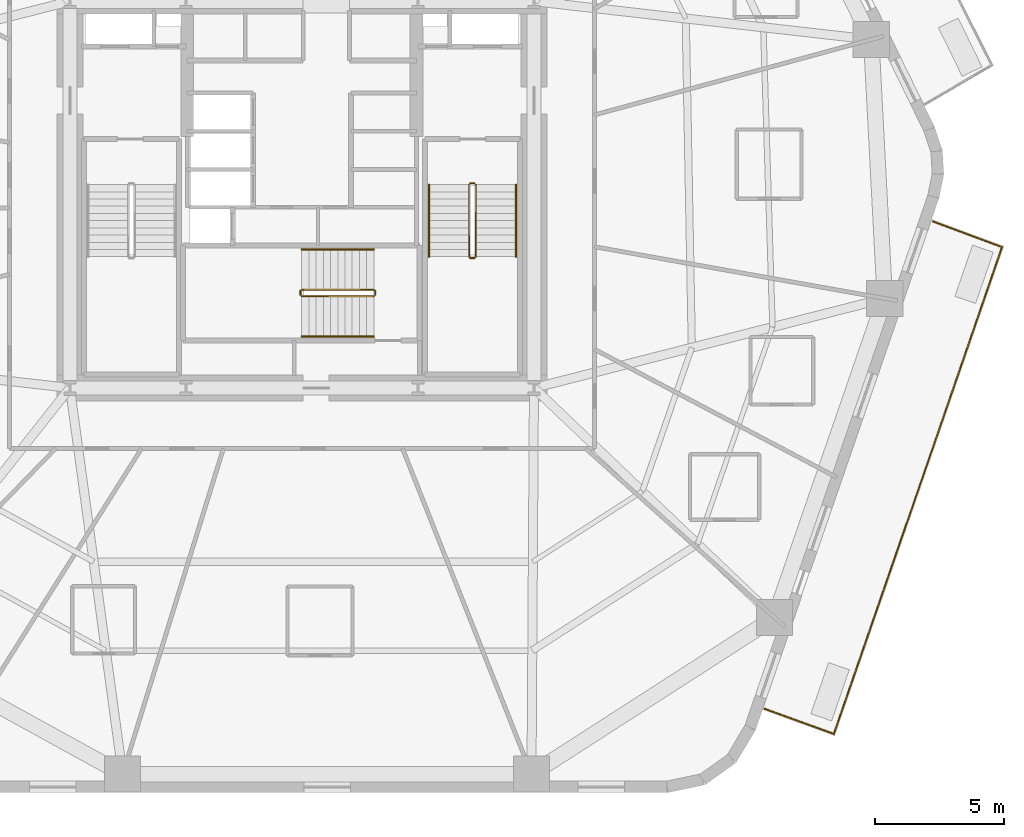
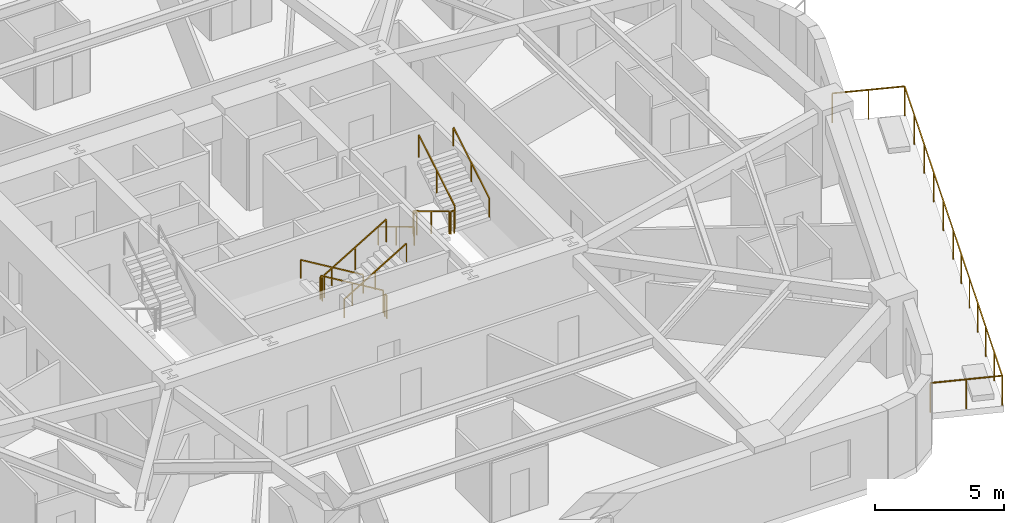
# One storey, part 9 of 10: 13 railings.
"""IFC4 building model written with IfcOpenShell, lengths in metres."""

from ifc_helpers import new_model, si_unit, direction, frame, origin, origin_2d, place, context, subcontext, project, spatial, rectangle, extrude, material, layer, layer_set, type_object, element, save


model = new_model("IFC4")

# Units and contexts
model_context = context("Model", 3, precision=1e-05, world=origin(), true_north=direction((0.0, 1.0)))
body_context = subcontext(model_context, "Body", "Model", "MODEL_VIEW")
ifc_project = project(units=[si_unit("LENGTHUNIT", "METRE"), si_unit("AREAUNIT", "SQUARE_METRE"), si_unit("VOLUMEUNIT", "CUBIC_METRE"), si_unit("PLANEANGLEUNIT", "RADIAN"), si_unit("MASSUNIT", "GRAM", prefix="KILO")], contexts=[model_context])

# Site, building, storey
site_placement = place(None, origin())
site = spatial("IfcSite", under=ifc_project, at=site_placement, CompositionType="ELEMENT")
building_placement = place(site_placement, origin())
building = spatial("IfcBuilding", under=site, at=building_placement, Name="Kilnhurst Terrace Hotel", CompositionType="ELEMENT")
storey_placement = place(building_placement, frame((0.0, 0.0, 78.60009765625)))
storey = spatial("IfcBuildingStorey", under=building, at=storey_placement, Name="L18", CompositionType="ELEMENT", Elevation=78.60009765625)

# Railings
ifc_material_1 = material(Name="Laminated SentryGlas and Stainless Steel AISI 316L Balustrade", Category="steel")
ifc_layer_1 = layer(ifc_material_1, 0.070068359375, Name="Laminated SentryGlas and Stainless Steel AISI 316L Balustrade")
ifc_layer_set_1 = layer_set([ifc_layer_1], Name="Laminated SentryGlas and Stainless Steel AISI 316L Balustrade")
railing_type_1 = type_object("IfcRailingType", Name="RLG-BAL-1420", PredefinedType="BALUSTRADE", material=ifc_layer_set_1)
railing_1_placement = place(storey_placement, frame((24.485107421875, -1.041748046875, 0.0)))
element("IfcRailing", 1, at=railing_1_placement, inside=storey, type_object=railing_type_1, Name="L18 Exterior Terrace Guardrail BAL-L1A.1", PredefinedType="BALUSTRADE", context=body_context, shape_type="SweptSolid", body=[
    extrude(rectangle(XDim=0.048095703125, YDim=0.048095703125, at=origin_2d()), frame((0.0, 0.0, 1.39599609375), z_axis=(0.937279097592, -0.348579823308, 0.0), x_axis=(0.348579823308, 0.937279097592, 0.0)), (0.0, 0.0, 1.0), 2.85205078125),
    extrude(rectangle(XDim=0.048095703125, YDim=0.048095703125, at=origin_2d()), frame((2.673095703125, -0.994140625, 1.39599609375), z_axis=(-0.326159116329, -0.945314884488, 0.0), x_axis=(0.945314884488, -0.326159116329, 0.0)), (0.0, 0.0, 1.0), 9.91650390625),
    extrude(rectangle(XDim=0.048095703125, YDim=0.048095703125, at=origin_2d()), frame((-0.561279296875, -10.368408203125, 1.39599609375), z_axis=(-0.326903959129, -0.945057565181, 0.0), x_axis=(0.945057565181, -0.326903959129, 0.0)), (0.0, 0.0, 1.0), 10.065673828125),
    extrude(rectangle(XDim=0.048095703125, YDim=0.048095703125, at=origin_2d()), frame((-3.851806640625, -19.881103515625, 1.39599609375), z_axis=(-0.939926315563, 0.341377388402, 0.0), x_axis=(-0.341377388402, -0.939926315563, 0.0)), (0.0, 0.0, 1.0), 2.84130859375),
    extrude(rectangle(XDim=0.0419921875, YDim=0.0419921875, at=origin_2d()), origin(), (0.0, 0.0, 1.0), 1.371826171875),
    extrude(rectangle(XDim=0.0419921875, YDim=0.0419921875, at=origin_2d()), frame((1.33642578125, -0.4970703125, 0.0)), (0.0, 0.0, 1.0), 1.371826171875),
    extrude(rectangle(XDim=0.0419921875, YDim=0.0419921875, at=origin_2d()), frame((2.673095703125, -0.994140625, 0.0)), (0.0, 0.0, 1.0), 1.371826171875),
    extrude(rectangle(XDim=0.0419921875, YDim=0.0419921875, at=origin_2d()), frame((2.026123046875, -2.868896484375, 0.0)), (0.0, 0.0, 1.0), 1.371826171875),
    extrude(rectangle(XDim=0.0419921875, YDim=0.0419921875, at=origin_2d()), frame((1.37939453125, -4.743896484375, 0.0)), (0.0, 0.0, 1.0), 1.371826171875),
    extrude(rectangle(XDim=0.0419921875, YDim=0.0419921875, at=origin_2d()), frame((0.732421875, -6.61865234375, 0.0)), (0.0, 0.0, 1.0), 1.371826171875),
    extrude(rectangle(XDim=0.0419921875, YDim=0.0419921875, at=origin_2d()), frame((0.085693359375, -8.49365234375, 0.0)), (0.0, 0.0, 1.0), 1.371826171875),
    extrude(rectangle(XDim=0.0419921875, YDim=0.0419921875, at=origin_2d()), frame((-0.561279296875, -10.368408203125, 0.0)), (0.0, 0.0, 1.0), 1.371826171875),
    extrude(rectangle(XDim=0.0419921875, YDim=0.0419921875, at=origin_2d()), frame((-1.109619140625, -11.953857421875, 0.0)), (0.0, 0.0, 1.0), 1.371826171875),
    extrude(rectangle(XDim=0.0419921875, YDim=0.0419921875, at=origin_2d()), frame((-1.658203125, -13.539306640625, 0.0)), (0.0, 0.0, 1.0), 1.371826171875),
    extrude(rectangle(XDim=0.0419921875, YDim=0.0419921875, at=origin_2d()), frame((-2.20654296875, -15.124755859375, 0.0)), (0.0, 0.0, 1.0), 1.371826171875),
    extrude(rectangle(XDim=0.0419921875, YDim=0.0419921875, at=origin_2d()), frame((-2.7548828125, -16.710205078125, 0.0)), (0.0, 0.0, 1.0), 1.371826171875),
    extrude(rectangle(XDim=0.0419921875, YDim=0.0419921875, at=origin_2d()), frame((-3.303466796875, -18.295654296875, 0.0)), (0.0, 0.0, 1.0), 1.371826171875),
    extrude(rectangle(XDim=0.0419921875, YDim=0.0419921875, at=origin_2d()), frame((-3.851806640625, -19.881103515625, 0.0)), (0.0, 0.0, 1.0), 1.371826171875),
    extrude(rectangle(XDim=0.0419921875, YDim=0.0419921875, at=origin_2d()), frame((-5.18701171875, -19.39599609375, 0.0)), (0.0, 0.0, 1.0), 1.371826171875),
    extrude(rectangle(XDim=0.0419921875, YDim=0.0419921875, at=origin_2d()), frame((-6.5224609375, -18.9111328125, 0.0)), (0.0, 0.0, 1.0), 1.371826171875),
])
ifc_material_2 = material(Name="Powder-Coated Steel ASTM A500 Grade B", Category="steel")
ifc_layer_2 = layer(ifc_material_2, 0.050048828125, Name="Powder-Coated Steel ASTM A500 Grade B")
ifc_layer_set_2 = layer_set([ifc_layer_2], Name="Powder-Coated Steel ASTM A500 Grade B")
railing_type_2 = type_object("IfcRailingType", Name="RLG-ST-GRD-1100", PredefinedType="GUARDRAIL", material=ifc_layer_set_2)
railing_2_placement = place(storey_placement, frame((6.489990234375, 0.389892578125, 0.16796875)))
element("IfcRailing", 2, at=railing_2_placement, inside=storey, type_object=railing_type_2, Name="L18 ST-2 stair guard 1", PredefinedType="GUARDRAIL", context=body_context, shape_type="SweptSolid", body=[
    extrude(rectangle(XDim=0.048095703125, YDim=0.048095703125, at=origin_2d()), frame((0.0, 0.0, 1.076171875), z_axis=(0.0, -0.857222391501, 0.514946377315), x_axis=(1.0, 0.0, 0.0)), (0.0, 0.0, 1.0), 3.26611328125),
    extrude(rectangle(XDim=0.0419921875, YDim=0.0419921875, at=origin_2d()), origin(), (0.0, 0.0, 1.0), 1.052001953125),
    extrude(rectangle(XDim=0.0419921875, YDim=0.0419921875, at=origin_2d()), frame((0.0, -1.39990234375, 0.8408203125)), (0.0, 0.0, 1.0), 1.052001953125),
    extrude(rectangle(XDim=0.0419921875, YDim=0.0419921875, at=origin_2d()), frame((0.0, -2.7998046875, 1.681884765625)), (0.0, 0.0, 1.0), 1.052001953125),
])
railing_3_placement = place(storey_placement, frame((6.5400390625, -2.4599609375, 1.849853515625)))
element("IfcRailing", 3, at=railing_3_placement, inside=storey, type_object=railing_type_2, Name="L18 ST-2 stair guard 2", PredefinedType="GUARDRAIL", context=body_context, shape_type="SweptSolid", body=[
    extrude(rectangle(XDim=0.048095703125, YDim=0.048095703125, at=origin_2d()), frame((0.0, 0.0, 1.076171875), z_axis=(1.0, 0.0, 0.0), x_axis=(0.0, 1.0, 0.0)), (0.0, 0.0, 1.0), 0.14990234375),
    extrude(rectangle(XDim=0.0419921875, YDim=0.0419921875, at=origin_2d()), origin(), (0.0, 0.0, 1.0), 1.052001953125),
    extrude(rectangle(XDim=0.0419921875, YDim=0.0419921875, at=origin_2d()), frame((0.14990234375, 0.0, 0.0)), (0.0, 0.0, 1.0), 1.052001953125),
])
railing_4_placement = place(storey_placement, frame((6.739990234375, -2.409912109375, 2.01806640625)))
element("IfcRailing", 4, at=railing_4_placement, inside=storey, type_object=railing_type_2, Name="L18 ST-2 stair guard 3", PredefinedType="GUARDRAIL", context=body_context, shape_type="SweptSolid", body=[
    extrude(rectangle(XDim=0.048095703125, YDim=0.048095703125, at=origin_2d()), frame((0.0, 0.0, 1.076171875), z_axis=(0.0, 0.857222391501, 0.514946377315), x_axis=(-1.0, 0.0, 0.0)), (0.0, 0.0, 1.0), 3.26611328125),
    extrude(rectangle(XDim=0.0419921875, YDim=0.0419921875, at=origin_2d()), origin(), (0.0, 0.0, 1.0), 1.052001953125),
    extrude(rectangle(XDim=0.0419921875, YDim=0.0419921875, at=origin_2d()), frame((0.0, 1.39990234375, 0.8408203125)), (0.0, 0.0, 1.0), 1.052001953125),
    extrude(rectangle(XDim=0.0419921875, YDim=0.0419921875, at=origin_2d()), frame((0.0, 2.7998046875, 1.681884765625)), (0.0, 0.0, 1.0), 1.052001953125),
])
railing_5_placement = place(storey_placement, frame((6.5400390625, 0.43994140625, 0.0)))
element("IfcRailing", 5, at=railing_5_placement, inside=storey, type_object=railing_type_2, Name="L18 ST-2 stair guard 4", PredefinedType="GUARDRAIL", context=body_context, shape_type="SweptSolid", body=[
    extrude(rectangle(XDim=0.048095703125, YDim=0.048095703125, at=origin_2d()), frame((0.0, 0.0, 1.076171875), z_axis=(1.0, 0.0, 0.0), x_axis=(0.0, 1.0, 0.0)), (0.0, 0.0, 1.0), 0.14990234375),
    extrude(rectangle(XDim=0.0419921875, YDim=0.0419921875, at=origin_2d()), origin(), (0.0, 0.0, 1.0), 1.052001953125),
    extrude(rectangle(XDim=0.0419921875, YDim=0.0419921875, at=origin_2d()), frame((0.14990234375, 0.0, 0.0)), (0.0, 0.0, 1.0), 1.052001953125),
])
railing_6_placement = place(storey_placement, frame((2.7900390625, -3.68994140625, 0.16796875)))
element("IfcRailing", 6, at=railing_6_placement, inside=storey, type_object=railing_type_2, Name="L18 ST-3 stair guard 1", PredefinedType="GUARDRAIL", context=body_context, shape_type="SweptSolid", body=[
    extrude(rectangle(XDim=0.048095703125, YDim=0.048095703125, at=origin_2d()), frame((0.0, 0.0, 1.076171875), z_axis=(-0.857242210791, 0.0, 0.514913383045), x_axis=(0.0, -1.0, 0.0)), (0.0, 0.0, 1.0), 3.266357421875),
    extrude(rectangle(XDim=0.0419921875, YDim=0.0419921875, at=origin_2d()), origin(), (0.0, 0.0, 1.0), 1.052001953125),
    extrude(rectangle(XDim=0.0419921875, YDim=0.0419921875, at=origin_2d()), frame((-1.39990234375, 0.0, 0.8408203125)), (0.0, 0.0, 1.0), 1.052001953125),
    extrude(rectangle(XDim=0.0419921875, YDim=0.0419921875, at=origin_2d()), frame((-2.800048828125, 0.0, 1.681884765625)), (0.0, 0.0, 1.0), 1.052001953125),
])
railing_7_placement = place(storey_placement, frame((-0.06005859375, -3.739990234375, 1.849853515625)))
element("IfcRailing", 7, at=railing_7_placement, inside=storey, type_object=railing_type_2, Name="L18 ST-3 stair guard 2", PredefinedType="GUARDRAIL", context=body_context, shape_type="SweptSolid", body=[
    extrude(rectangle(XDim=0.048095703125, YDim=0.048095703125, at=origin_2d()), frame((0.0, 0.0, 1.076171875), z_axis=(0.0, -1.0, 0.0), x_axis=(1.0, 0.0, 0.0)), (0.0, 0.0, 1.0), 0.14990234375),
    extrude(rectangle(XDim=0.0419921875, YDim=0.0419921875, at=origin_2d()), origin(), (0.0, 0.0, 1.0), 1.052001953125),
    extrude(rectangle(XDim=0.0419921875, YDim=0.0419921875, at=origin_2d()), frame((0.0, -0.14990234375, 0.0)), (0.0, 0.0, 1.0), 1.052001953125),
])
railing_8_placement = place(storey_placement, frame((-0.010009765625, -3.93994140625, 2.01806640625)))
element("IfcRailing", 8, at=railing_8_placement, inside=storey, type_object=railing_type_2, Name="L18 ST-3 stair guard 3", PredefinedType="GUARDRAIL", context=body_context, shape_type="SweptSolid", body=[
    extrude(rectangle(XDim=0.048095703125, YDim=0.048095703125, at=origin_2d()), frame((0.0, 0.0, 1.076171875), z_axis=(0.857242210791, 0.0, 0.514913383045), x_axis=(0.0, 1.0, 0.0)), (0.0, 0.0, 1.0), 3.266357421875),
    extrude(rectangle(XDim=0.0419921875, YDim=0.0419921875, at=origin_2d()), origin(), (0.0, 0.0, 1.0), 1.052001953125),
    extrude(rectangle(XDim=0.0419921875, YDim=0.0419921875, at=origin_2d()), frame((1.39990234375, 0.0, 0.8408203125)), (0.0, 0.0, 1.0), 1.052001953125),
    extrude(rectangle(XDim=0.0419921875, YDim=0.0419921875, at=origin_2d()), frame((2.800048828125, 0.0, 1.681884765625)), (0.0, 0.0, 1.0), 1.052001953125),
])
railing_9_placement = place(storey_placement, frame((2.840087890625, -3.739990234375, 0.0)))
element("IfcRailing", 9, at=railing_9_placement, inside=storey, type_object=railing_type_2, Name="L18 ST-3 stair guard 4", PredefinedType="GUARDRAIL", context=body_context, shape_type="SweptSolid", body=[
    extrude(rectangle(XDim=0.048095703125, YDim=0.048095703125, at=origin_2d()), frame((0.0, 0.0, 1.076171875), z_axis=(0.0, -1.0, 0.0), x_axis=(1.0, 0.0, 0.0)), (0.0, 0.0, 1.0), 0.14990234375),
    extrude(rectangle(XDim=0.0419921875, YDim=0.0419921875, at=origin_2d()), origin(), (0.0, 0.0, 1.0), 1.052001953125),
    extrude(rectangle(XDim=0.0419921875, YDim=0.0419921875, at=origin_2d()), frame((0.0, -0.14990234375, 0.0)), (0.0, 0.0, 1.0), 1.052001953125),
])
ifc_material_3 = material(Name="Brushed Stainless Steel AISI 304", Category="steel")
ifc_layer_3 = layer(ifc_material_3, 0.048095703125, Name="Brushed Stainless Steel AISI 304")
ifc_layer_set_3 = layer_set([ifc_layer_3], Name="Brushed Stainless Steel AISI 304")
railing_type_3 = type_object("IfcRailingType", Name="RLG-ST-HRL-900", PredefinedType="HANDRAIL", material=ifc_layer_set_3)
railing_10_placement = place(storey_placement, frame((4.929931640625, 0.389892578125, 0.16796875)))
element("IfcRailing", 10, at=railing_10_placement, inside=storey, type_object=railing_type_3, Name="L18 ST-2 stair handrail 1", PredefinedType="HANDRAIL", context=body_context, shape_type="SweptSolid", body=[
    extrude(rectangle(XDim=0.048095703125, YDim=0.048095703125, at=origin_2d()), frame((0.0, 0.0, 0.8759765625), z_axis=(0.0, -0.857222391501, 0.514946377315), x_axis=(1.0, 0.0, 0.0)), (0.0, 0.0, 1.0), 3.26611328125),
    extrude(rectangle(XDim=0.0419921875, YDim=0.0419921875, at=origin_2d()), origin(), (0.0, 0.0, 1.0), 0.851806640625),
    extrude(rectangle(XDim=0.0419921875, YDim=0.0419921875, at=origin_2d()), frame((0.0, -1.39990234375, 0.8408203125)), (0.0, 0.0, 1.0), 0.851806640625),
    extrude(rectangle(XDim=0.0419921875, YDim=0.0419921875, at=origin_2d()), frame((0.0, -2.7998046875, 1.681884765625)), (0.0, 0.0, 1.0), 0.851806640625),
])
railing_11_placement = place(storey_placement, frame((8.300048828125, -2.409912109375, 2.01806640625)))
element("IfcRailing", 11, at=railing_11_placement, inside=storey, type_object=railing_type_3, Name="L18 ST-2 stair handrail 2", PredefinedType="HANDRAIL", context=body_context, shape_type="SweptSolid", body=[
    extrude(rectangle(XDim=0.048095703125, YDim=0.048095703125, at=origin_2d()), frame((0.0, 0.0, 0.8759765625), z_axis=(0.0, 0.857222391501, 0.514946377315), x_axis=(-1.0, 0.0, 0.0)), (0.0, 0.0, 1.0), 3.26611328125),
    extrude(rectangle(XDim=0.0419921875, YDim=0.0419921875, at=origin_2d()), origin(), (0.0, 0.0, 1.0), 0.851806640625),
    extrude(rectangle(XDim=0.0419921875, YDim=0.0419921875, at=origin_2d()), frame((0.0, 1.39990234375, 0.8408203125)), (0.0, 0.0, 1.0), 0.851806640625),
    extrude(rectangle(XDim=0.0419921875, YDim=0.0419921875, at=origin_2d()), frame((0.0, 2.7998046875, 1.681884765625)), (0.0, 0.0, 1.0), 0.851806640625),
])
railing_12_placement = place(storey_placement, frame((2.7900390625, -2.1298828125, 0.16796875)))
element("IfcRailing", 12, at=railing_12_placement, inside=storey, type_object=railing_type_3, Name="L18 ST-3 stair handrail 1", PredefinedType="HANDRAIL", context=body_context, shape_type="SweptSolid", body=[
    extrude(rectangle(XDim=0.048095703125, YDim=0.048095703125, at=origin_2d()), frame((0.0, 0.0, 0.8759765625), z_axis=(-0.857242210791, 0.0, 0.514913383045), x_axis=(0.0, -1.0, 0.0)), (0.0, 0.0, 1.0), 3.266357421875),
    extrude(rectangle(XDim=0.0419921875, YDim=0.0419921875, at=origin_2d()), origin(), (0.0, 0.0, 1.0), 0.851806640625),
    extrude(rectangle(XDim=0.0419921875, YDim=0.0419921875, at=origin_2d()), frame((-1.39990234375, 0.0, 0.8408203125)), (0.0, 0.0, 1.0), 0.851806640625),
    extrude(rectangle(XDim=0.0419921875, YDim=0.0419921875, at=origin_2d()), frame((-2.800048828125, 0.0, 1.681884765625)), (0.0, 0.0, 1.0), 0.851806640625),
])
railing_13_placement = place(storey_placement, frame((-0.010009765625, -5.5, 2.01806640625)))
element("IfcRailing", 13, at=railing_13_placement, inside=storey, type_object=railing_type_3, Name="L18 ST-3 stair handrail 2", PredefinedType="HANDRAIL", context=body_context, shape_type="SweptSolid", body=[
    extrude(rectangle(XDim=0.048095703125, YDim=0.048095703125, at=origin_2d()), frame((0.0, 0.0, 0.8759765625), z_axis=(0.857242210791, 0.0, 0.514913383045), x_axis=(0.0, 1.0, 0.0)), (0.0, 0.0, 1.0), 3.266357421875),
    extrude(rectangle(XDim=0.0419921875, YDim=0.0419921875, at=origin_2d()), origin(), (0.0, 0.0, 1.0), 0.851806640625),
    extrude(rectangle(XDim=0.0419921875, YDim=0.0419921875, at=origin_2d()), frame((1.39990234375, 0.0, 0.8408203125)), (0.0, 0.0, 1.0), 0.851806640625),
    extrude(rectangle(XDim=0.0419921875, YDim=0.0419921875, at=origin_2d()), frame((2.800048828125, 0.0, 1.681884765625)), (0.0, 0.0, 1.0), 0.851806640625),
])

save(model, "model.ifc")
